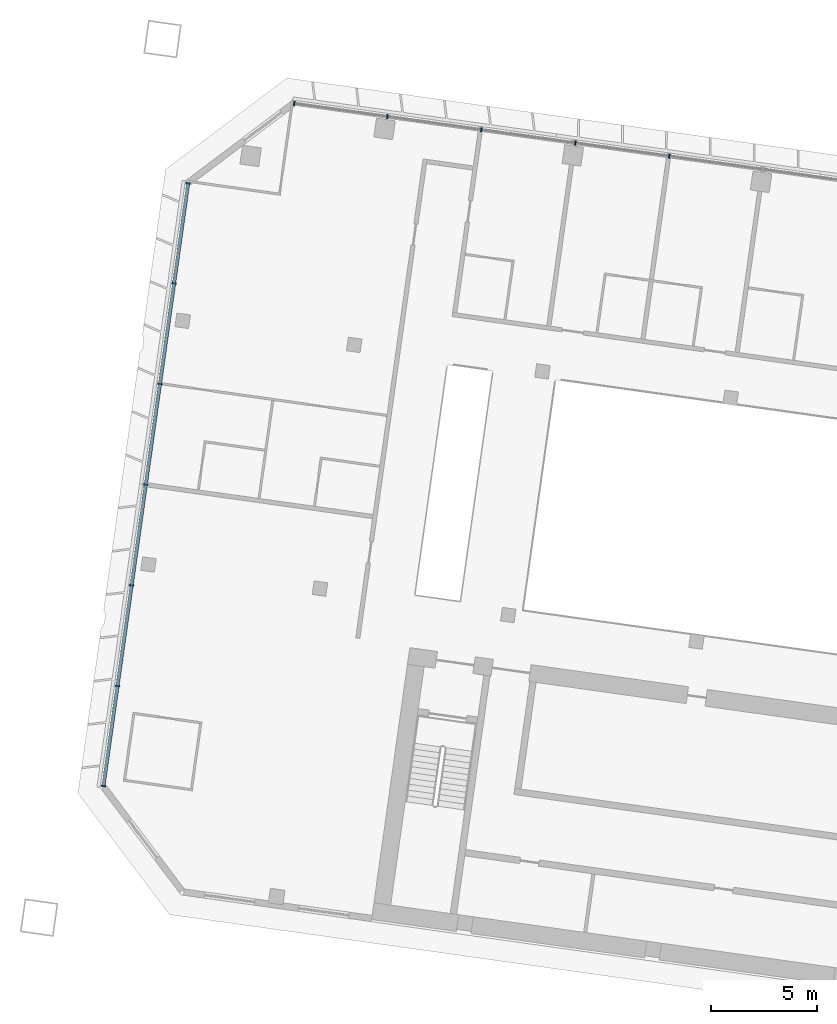
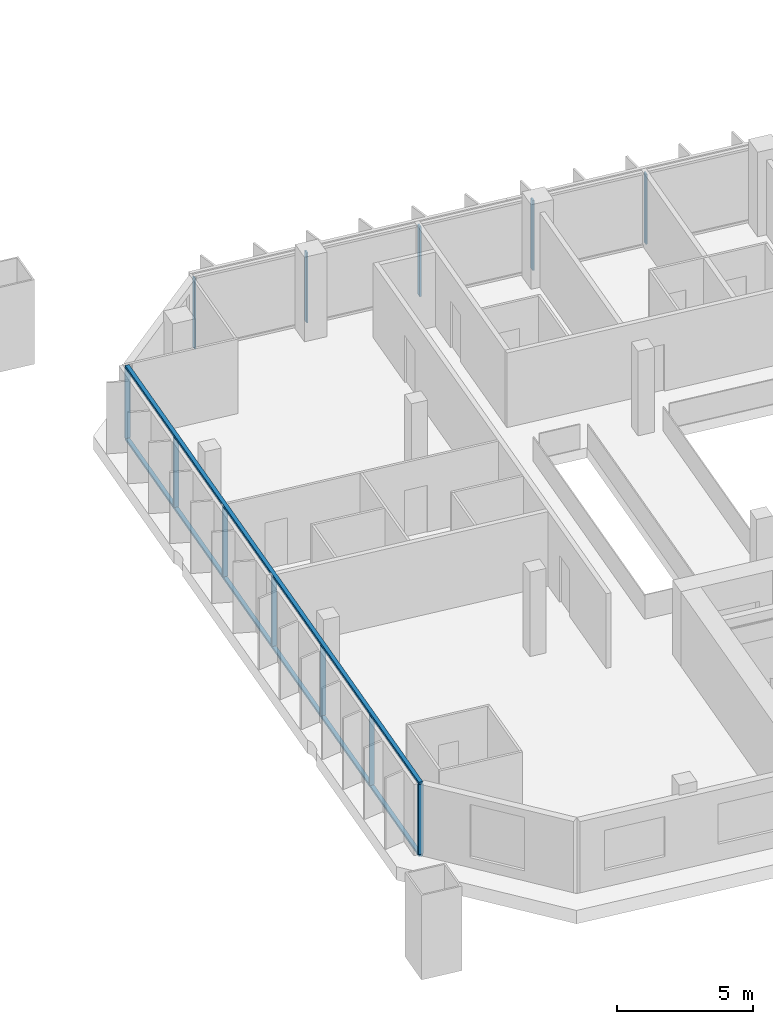
# One storey, part 2 of 24: 14 members, 2 elements without a shape of their own.
"""IFC4 building model written with IfcOpenShell, lengths in metres."""

from ifc_helpers import new_model, si_unit, direction, frame, origin, origin_2d, place, context, subcontext, project, spatial, rectangle, extrude, material, material_profile, profile_set, type_object, element, aggregate, save


model = new_model("IFC4")

# Units and contexts
model_context = context("Model", 3, precision=1e-05, world=origin(), true_north=direction((0.0, 1.0)))
body_context = subcontext(model_context, "Body", "Model", "MODEL_VIEW")
ifc_project = project(units=[si_unit("LENGTHUNIT", "METRE"), si_unit("AREAUNIT", "SQUARE_METRE"), si_unit("VOLUMEUNIT", "CUBIC_METRE"), si_unit("PLANEANGLEUNIT", "RADIAN"), si_unit("MASSUNIT", "GRAM", prefix="KILO")], contexts=[model_context])

# Site, building, storey
site_placement = place(None, origin())
site = spatial("IfcSite", under=ifc_project, at=site_placement, CompositionType="ELEMENT")
building_placement = place(site_placement, origin())
building = spatial("IfcBuilding", under=site, at=building_placement, Name="Mirante Cascada Hotel Towers", CompositionType="ELEMENT")
storey_placement = place(building_placement, frame((0.0, 0.0, 132.9)))
storey = spatial("IfcBuildingStorey", under=building, at=storey_placement, Name="L30", CompositionType="ELEMENT", Elevation=132.9)

# Curtain wall, members
ifc_material_1 = material(Name="Aluminium mullion and transom frame with clear laminated glass", Category="aluminium")
curtain_wall_type_1 = type_object("IfcCurtainWallType", Name="Ribbon curtain wall ECW1", PredefinedType="NOTDEFINED", material=ifc_material_1)
curtain_wall_1_placement = place(storey_placement, origin())
curtain_wall_1 = element("IfcCurtainWall", 1, at=curtain_wall_1_placement, inside=storey, type_object=curtain_wall_type_1, Name="Front ribbon wall T1 L30", PredefinedType="NOTDEFINED")
ifc_material_2 = material(Name="Anodised aluminium extrusion", Category="aluminium")
ifc_material_profile_1 = material_profile(ifc_material_2, rectangle(XDim=0.2, YDim=0.065, at=origin_2d()), Name="ECW1 MULLION 65x200")
ifc_profile_set_1 = profile_set([ifc_material_profile_1], Name="Anodised aluminium extrusion")
member_type_1 = type_object("IfcMemberType", Name="ECW1 mullion 65x200", PredefinedType="MULLION", material=ifc_profile_set_1)
member_1_placement = place(storey_placement, frame((-94.126, 26.0476, 0.1), z_axis=(0.0, 0.0, 1.0), x_axis=(0.1391731, 0.9902681, 0.0)))
member_1 = element("IfcMember", 2, at=member_1_placement, type_object=member_type_1, Name="ECW1 mullion 1", PredefinedType="MULLION", context=body_context, shape_type="SweptSolid", body=[
    extrude(rectangle(XDim=0.2, YDim=0.065, at=origin_2d()), origin(), (0.0, 0.0, 1.0), 3.15),
])
member_2_placement = place(storey_placement, frame((-89.7107, 25.427, 0.1), z_axis=(0.0, 0.0, 1.0), x_axis=(0.1391731, 0.9902681, 0.0)))
member_2 = element("IfcMember", 3, at=member_2_placement, type_object=member_type_1, Name="ECW1 mullion 2", PredefinedType="MULLION", context=body_context, shape_type="SweptSolid", body=[
    extrude(rectangle(XDim=0.2, YDim=0.065, at=origin_2d()), origin(), (0.0, 0.0, 1.0), 3.15),
])
member_3_placement = place(storey_placement, frame((-85.2633, 24.802, 0.1), z_axis=(0.0, 0.0, 1.0), x_axis=(0.1391731, 0.9902681, 0.0)))
member_3 = element("IfcMember", 4, at=member_3_placement, type_object=member_type_1, Name="ECW1 mullion 3", PredefinedType="MULLION", context=body_context, shape_type="SweptSolid", body=[
    extrude(rectangle(XDim=0.2, YDim=0.065, at=origin_2d()), origin(), (0.0, 0.0, 1.0), 3.15),
])
member_4_placement = place(storey_placement, frame((-80.8159, 24.177, 0.1), z_axis=(0.0, 0.0, 1.0), x_axis=(0.1391731, 0.9902681, 0.0)))
member_4 = element("IfcMember", 5, at=member_4_placement, type_object=member_type_1, Name="ECW1 mullion 4", PredefinedType="MULLION", context=body_context, shape_type="SweptSolid", body=[
    extrude(rectangle(XDim=0.2, YDim=0.065, at=origin_2d()), origin(), (0.0, 0.0, 1.0), 3.15),
])
member_5_placement = place(storey_placement, frame((-76.3685, 23.5519, 0.1), z_axis=(0.0, 0.0, 1.0), x_axis=(0.1391731, 0.9902681, 0.0)))
member_5 = element("IfcMember", 6, at=member_5_placement, type_object=member_type_1, Name="ECW1 mullion 5", PredefinedType="MULLION", context=body_context, shape_type="SweptSolid", body=[
    extrude(rectangle(XDim=0.2, YDim=0.065, at=origin_2d()), origin(), (0.0, 0.0, 1.0), 3.15),
])
aggregate(curtain_wall_1, [member_1, member_2, member_3, member_4, member_5])

ifc_material_3 = material(Name="Aluminium mullion and transom frame with clear laminated glass", Category="aluminium")
curtain_wall_type_2 = type_object("IfcCurtainWallType", Name="End ribbon curtain wall ECW2", PredefinedType="NOTDEFINED", material=ifc_material_3)
curtain_wall_2_placement = place(storey_placement, origin())
curtain_wall_2 = element("IfcCurtainWall", 7, at=curtain_wall_2_placement, inside=storey, type_object=curtain_wall_type_2, Name="Outer end wall T1 L30", PredefinedType="NOTDEFINED")
ifc_material_4 = material(Name="Anodised aluminium extrusion", Category="aluminium")
ifc_material_profile_2 = material_profile(ifc_material_4, rectangle(XDim=0.2, YDim=0.065, at=origin_2d()), Name="ECW2 MULLION 65x200")
ifc_profile_set_2 = profile_set([ifc_material_profile_2], Name="Anodised aluminium extrusion")
member_type_2 = type_object("IfcMemberType", Name="ECW2 mullion 65x200", PredefinedType="MULLION", material=ifc_profile_set_2)
member_6_placement = place(storey_placement, frame((-103.1556, -6.2656, 0.1), z_axis=(0.0, 0.0, 1.0), x_axis=(-0.9902681, 0.1391731, 0.0)))
member_6 = element("IfcMember", 8, at=member_6_placement, type_object=member_type_2, Name="ECW2 mullion 1", PredefinedType="MULLION", context=body_context, shape_type="SweptSolid", body=[
    extrude(rectangle(XDim=0.2, YDim=0.065, at=origin_2d()), origin(), (0.0, 0.0, 1.0), 3.15),
])
member_7_placement = place(storey_placement, frame((-102.4903, -1.532, 0.1), z_axis=(0.0, 0.0, 1.0), x_axis=(-0.9902681, 0.1391731, 0.0)))
member_7 = element("IfcMember", 9, at=member_7_placement, type_object=member_type_2, Name="ECW2 mullion 2", PredefinedType="MULLION", context=body_context, shape_type="SweptSolid", body=[
    extrude(rectangle(XDim=0.2, YDim=0.065, at=origin_2d()), origin(), (0.0, 0.0, 1.0), 3.15),
])
member_8_placement = place(storey_placement, frame((-101.8205, 3.2338, 0.1), z_axis=(0.0, 0.0, 1.0), x_axis=(-0.9902681, 0.1391731, 0.0)))
member_8 = element("IfcMember", 10, at=member_8_placement, type_object=member_type_2, Name="ECW2 mullion 3", PredefinedType="MULLION", context=body_context, shape_type="SweptSolid", body=[
    extrude(rectangle(XDim=0.2, YDim=0.065, at=origin_2d()), origin(), (0.0, 0.0, 1.0), 3.15),
])
member_9_placement = place(storey_placement, frame((-101.1508, 7.9996, 0.1), z_axis=(0.0, 0.0, 1.0), x_axis=(-0.9902681, 0.1391731, 0.0)))
member_9 = element("IfcMember", 11, at=member_9_placement, type_object=member_type_2, Name="ECW2 mullion 4", PredefinedType="MULLION", context=body_context, shape_type="SweptSolid", body=[
    extrude(rectangle(XDim=0.2, YDim=0.065, at=origin_2d()), origin(), (0.0, 0.0, 1.0), 3.15),
])
member_10_placement = place(storey_placement, frame((-100.481, 12.7654, 0.1), z_axis=(0.0, 0.0, 1.0), x_axis=(-0.9902681, 0.1391731, 0.0)))
member_10 = element("IfcMember", 12, at=member_10_placement, type_object=member_type_2, Name="ECW2 mullion 5", PredefinedType="MULLION", context=body_context, shape_type="SweptSolid", body=[
    extrude(rectangle(XDim=0.2, YDim=0.065, at=origin_2d()), origin(), (0.0, 0.0, 1.0), 3.15),
])
member_11_placement = place(storey_placement, frame((-99.8112, 17.5312, 0.1), z_axis=(0.0, 0.0, 1.0), x_axis=(-0.9902681, 0.1391731, 0.0)))
member_11 = element("IfcMember", 13, at=member_11_placement, type_object=member_type_2, Name="ECW2 mullion 6", PredefinedType="MULLION", context=body_context, shape_type="SweptSolid", body=[
    extrude(rectangle(XDim=0.2, YDim=0.065, at=origin_2d()), origin(), (0.0, 0.0, 1.0), 3.15),
])
member_12_placement = place(storey_placement, frame((-99.1459, 22.2648, 0.1), z_axis=(0.0, 0.0, 1.0), x_axis=(-0.9902681, 0.1391731, 0.0)))
member_12 = element("IfcMember", 14, at=member_12_placement, type_object=member_type_2, Name="ECW2 mullion 7", PredefinedType="MULLION", context=body_context, shape_type="SweptSolid", body=[
    extrude(rectangle(XDim=0.2, YDim=0.065, at=origin_2d()), origin(), (0.0, 0.0, 1.0), 3.15),
])
ifc_material_5 = material(Name="Anodised aluminium extrusion", Category="aluminium")
ifc_material_profile_3 = material_profile(ifc_material_5, rectangle(XDim=0.16, YDim=0.1, at=origin_2d()), Name="ECW2 TRANSOM 100x160")
ifc_profile_set_3 = profile_set([ifc_material_profile_3], Name="Anodised aluminium extrusion")
member_type_3 = type_object("IfcMemberType", Name="ECW2 transom 100x160", PredefinedType="USERDEFINED", material=ifc_profile_set_3)
member_13_placement = place(storey_placement, frame((-103.1601, -6.2978, 0.05), z_axis=(0.1391723, 0.9902682, 0.0), x_axis=(-0.9902682, 0.1391723, 0.0)))
member_13 = element("IfcMember", 15, at=member_13_placement, type_object=member_type_3, Name="ECW2 sill transom", ObjectType="TRANSOM", PredefinedType="USERDEFINED", context=body_context, shape_type="SweptSolid", body=[
    extrude(rectangle(XDim=0.16, YDim=0.1, at=origin_2d()), origin(), (0.0, 0.0, 1.0), 28.8757),
])
member_14_placement = place(storey_placement, frame((-103.1601, -6.2978, 3.3), z_axis=(0.1391723, 0.9902682, 0.0), x_axis=(-0.9902682, 0.1391723, 0.0)))
member_14 = element("IfcMember", 16, at=member_14_placement, type_object=member_type_3, Name="ECW2 head transom", ObjectType="TRANSOM", PredefinedType="USERDEFINED", context=body_context, shape_type="SweptSolid", body=[
    extrude(rectangle(XDim=0.16, YDim=0.1, at=origin_2d()), origin(), (0.0, 0.0, 1.0), 28.8757),
])
aggregate(curtain_wall_2, [member_13, member_14, member_6, member_7, member_8, member_9, member_10, member_11, member_12])

save(model, "model.ifc")
